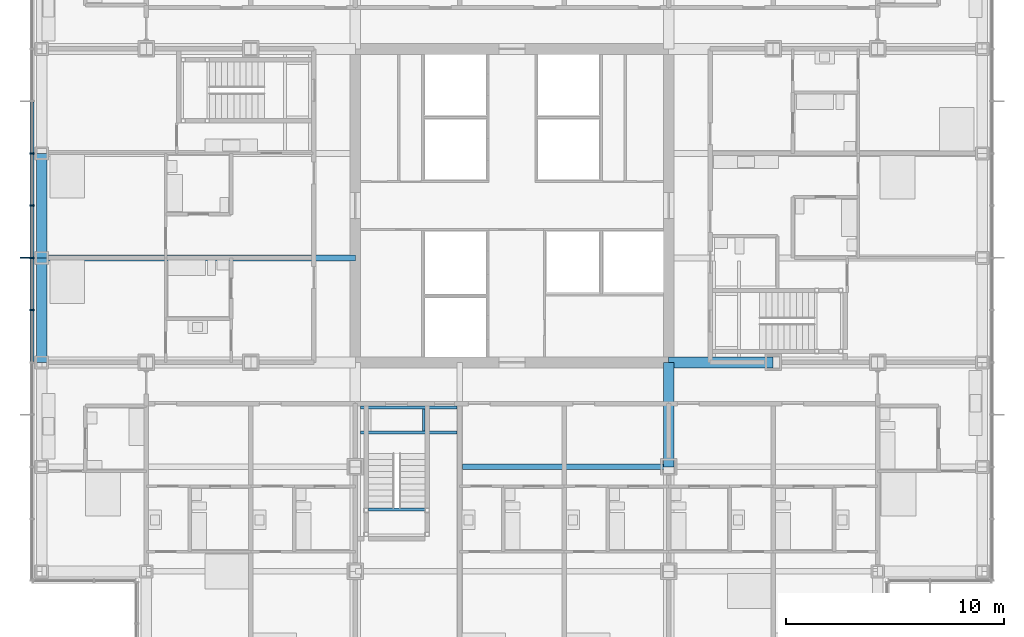
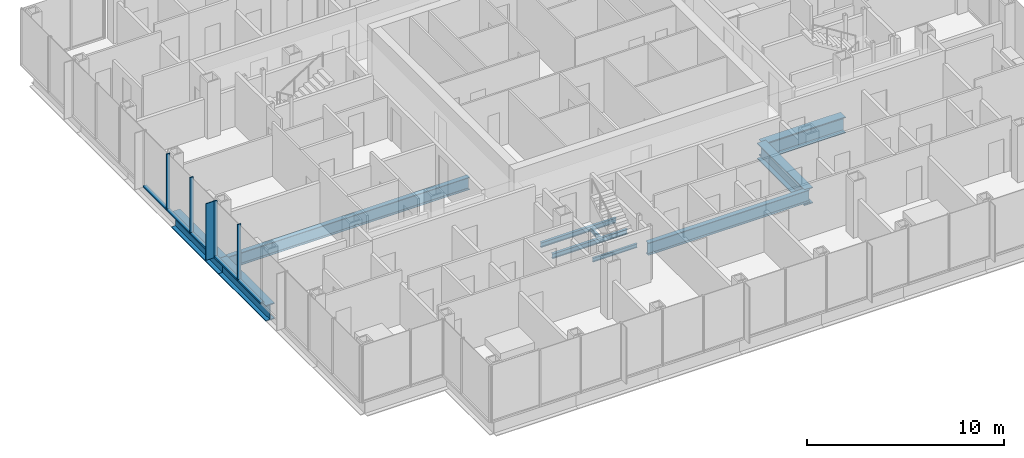
# One storey, part 7 of 22: 10 beams, 10 members, 1 element without a shape of its own.
"""IFC4 building model written with IfcOpenShell, lengths in metres."""

from ifc_helpers import new_model, si_unit, direction, frame, origin, origin_2d, place, context, subcontext, project, spatial, rectangle, i_section, extrude, material, material_profile, profile_set, type_object, element, aggregate, save


model = new_model("IFC4")

# Units and contexts
model_context = context("Model", 3, precision=1e-05, world=origin(), true_north=direction((0.0, 1.0)))
body_context = subcontext(model_context, "Body", "Model", "MODEL_VIEW")
ifc_project = project(units=[si_unit("LENGTHUNIT", "METRE"), si_unit("AREAUNIT", "SQUARE_METRE"), si_unit("VOLUMEUNIT", "CUBIC_METRE"), si_unit("PLANEANGLEUNIT", "RADIAN"), si_unit("MASSUNIT", "GRAM", prefix="KILO")], contexts=[model_context])

# Site, building, storey
site_placement = place(None, origin())
site = spatial("IfcSite", under=ifc_project, at=site_placement, CompositionType="ELEMENT")
building_placement = place(site_placement, origin())
building = spatial("IfcBuilding", under=site, at=building_placement, Name="Kvirike Care Tower", CompositionType="ELEMENT")
storey_placement = place(building_placement, frame((0.0, 0.0, 72.5)))
storey = spatial("IfcBuildingStorey", under=building, at=storey_placement, Name="L19", CompositionType="ELEMENT", Elevation=72.5)

# Curtain wall, members
ifc_material_1 = material(Name="Anodised aluminium stick system", Category="aluminium")
curtain_wall_type = type_object("IfcCurtainWallType", Name="CW-A STICK CURTAIN WALL", PredefinedType="NOTDEFINED", material=ifc_material_1)
curtain_wall_placement = place(storey_placement, origin())
curtain_wall = element("IfcCurtainWall", 1, at=curtain_wall_placement, inside=storey, type_object=curtain_wall_type, Name="Curtain wall L19 face 1", PredefinedType="NOTDEFINED")
ifc_material_2 = material(Name="Bronze anodised aluminium fin", Category="aluminium")
ifc_material_profile_1 = material_profile(ifc_material_2, rectangle(XDim=0.050048828125, YDim=0.449951171875, at=origin_2d()), Name="BRONZE FIN 450")
ifc_profile_set_1 = profile_set([ifc_material_profile_1], Name="Bronze anodised aluminium fin")
member_type_1 = type_object("IfcMemberType", Name="BRONZE FIN 450", PredefinedType="USERDEFINED", material=ifc_profile_set_1)
member_1_placement = place(storey_placement, frame((-0.77490234375, 33.60009765625, 0.0), z_axis=(0.0, 0.0, 1.0), x_axis=(0.0, -1.0, 0.0)))
member_1 = element("IfcMember", 2, at=member_1_placement, type_object=member_type_1, Name="Bronze fin L19 face 1.9", ObjectType="FIN", PredefinedType="USERDEFINED", context=body_context, shape_type="SweptSolid", body=[
    extrude(rectangle(XDim=0.050048828125, YDim=0.449951171875, at=origin_2d()), origin(), (0.0, 0.0, 1.0), 3.5),
])
ifc_material_3 = material(Name="Bronze anodised aluminium mullion", Category="aluminium")
ifc_material_profile_2 = material_profile(ifc_material_3, rectangle(XDim=0.06494140625, YDim=0.199951171875, at=origin_2d()), Name="CW-A MULLION 65x200")
ifc_profile_set_2 = profile_set([ifc_material_profile_2], Name="Bronze anodised aluminium mullion")
member_type_2 = type_object("IfcMemberType", Name="CW-A MULLION 65x200", PredefinedType="MULLION", material=ifc_profile_set_2)
member_2_placement = place(storey_placement, frame((-0.449951171875, 38.39990234375, 0.0), z_axis=(0.0, 0.0, 1.0), x_axis=(0.0, -1.0, 0.0)))
member_2 = element("IfcMember", 3, at=member_2_placement, type_object=member_type_2, Name="CW-A mullion L19 face 1.7", PredefinedType="MULLION", context=body_context, shape_type="SweptSolid", body=[
    extrude(rectangle(XDim=0.06494140625, YDim=0.199951171875, at=origin_2d()), origin(), (0.0, 0.0, 1.0), 3.5),
])
member_3_placement = place(storey_placement, frame((-0.449951171875, 36.0, 0.0), z_axis=(0.0, 0.0, 1.0), x_axis=(0.0, -1.0, 0.0)))
member_3 = element("IfcMember", 4, at=member_3_placement, type_object=member_type_2, Name="CW-A mullion L19 face 1.8", PredefinedType="MULLION", context=body_context, shape_type="SweptSolid", body=[
    extrude(rectangle(XDim=0.06494140625, YDim=0.199951171875, at=origin_2d()), origin(), (0.0, 0.0, 1.0), 3.5),
])
member_4_placement = place(storey_placement, frame((-0.449951171875, 33.60009765625, 0.0), z_axis=(0.0, 0.0, 1.0), x_axis=(0.0, -1.0, 0.0)))
member_4 = element("IfcMember", 5, at=member_4_placement, type_object=member_type_2, Name="CW-A mullion L19 face 1.9", PredefinedType="MULLION", context=body_context, shape_type="SweptSolid", body=[
    extrude(rectangle(XDim=0.06494140625, YDim=0.199951171875, at=origin_2d()), origin(), (0.0, 0.0, 1.0), 3.5),
])
member_5_placement = place(storey_placement, frame((-0.449951171875, 31.199951171875, 0.0), z_axis=(0.0, 0.0, 1.0), x_axis=(0.0, -1.0, 0.0)))
member_5 = element("IfcMember", 6, at=member_5_placement, type_object=member_type_2, Name="CW-A mullion L19 face 1.10", PredefinedType="MULLION", context=body_context, shape_type="SweptSolid", body=[
    extrude(rectangle(XDim=0.06494140625, YDim=0.199951171875, at=origin_2d()), origin(), (0.0, 0.0, 1.0), 3.5),
])
ifc_material_4 = material(Name="Bronze anodised aluminium transom", Category="aluminium")
ifc_material_profile_3 = material_profile(ifc_material_4, rectangle(XDim=0.199951171875, YDim=0.10009765625, at=origin_2d()), Name="CW-A TRANSOM 200x100")
ifc_profile_set_3 = profile_set([ifc_material_profile_3], Name="Bronze anodised aluminium transom")
member_type_3 = type_object("IfcMemberType", Name="CW-A TRANSOM 200x100", PredefinedType="USERDEFINED", material=ifc_profile_set_3)
member_6_placement = place(storey_placement, frame((-0.449951171875, 40.767578125, 0.050048828125), z_axis=(0.0, -1.0, 0.0), x_axis=(1.0, 0.0, 0.0)))
member_6 = element("IfcMember", 7, at=member_6_placement, type_object=member_type_3, Name="CW-A sill transom L19 face 1.6", ObjectType="TRANSOM", PredefinedType="USERDEFINED", context=body_context, shape_type="SweptSolid", body=[
    extrude(rectangle(XDim=0.199951171875, YDim=0.10009765625, at=origin_2d()), origin(), (0.0, 0.0, 1.0), 2.3349609375),
])
member_7_placement = place(storey_placement, frame((-0.449951171875, 38.367431640625, 0.050048828125), z_axis=(0.0, -1.0, 0.0), x_axis=(1.0, 0.0, 0.0)))
member_7 = element("IfcMember", 8, at=member_7_placement, type_object=member_type_3, Name="CW-A sill transom L19 face 1.7", ObjectType="TRANSOM", PredefinedType="USERDEFINED", context=body_context, shape_type="SweptSolid", body=[
    extrude(rectangle(XDim=0.199951171875, YDim=0.10009765625, at=origin_2d()), origin(), (0.0, 0.0, 1.0), 2.3349609375),
])
member_8_placement = place(storey_placement, frame((-0.449951171875, 35.967529296875, 0.050048828125), z_axis=(0.0, -1.0, 0.0), x_axis=(1.0, 0.0, 0.0)))
member_8 = element("IfcMember", 9, at=member_8_placement, type_object=member_type_3, Name="CW-A sill transom L19 face 1.8", ObjectType="TRANSOM", PredefinedType="USERDEFINED", context=body_context, shape_type="SweptSolid", body=[
    extrude(rectangle(XDim=0.199951171875, YDim=0.10009765625, at=origin_2d()), origin(), (0.0, 0.0, 1.0), 2.3349609375),
])
member_9_placement = place(storey_placement, frame((-0.449951171875, 33.5673828125, 0.050048828125), z_axis=(0.0, -1.0, 0.0), x_axis=(1.0, 0.0, 0.0)))
member_9 = element("IfcMember", 10, at=member_9_placement, type_object=member_type_3, Name="CW-A sill transom L19 face 1.9", ObjectType="TRANSOM", PredefinedType="USERDEFINED", context=body_context, shape_type="SweptSolid", body=[
    extrude(rectangle(XDim=0.199951171875, YDim=0.10009765625, at=origin_2d()), origin(), (0.0, 0.0, 1.0), 2.3349609375),
])
member_10_placement = place(storey_placement, frame((-0.449951171875, 31.16748046875, 0.050048828125), z_axis=(0.0, -1.0, 0.0), x_axis=(1.0, 0.0, 0.0)))
member_10 = element("IfcMember", 11, at=member_10_placement, type_object=member_type_3, Name="CW-A sill transom L19 face 1.10", ObjectType="TRANSOM", PredefinedType="USERDEFINED", context=body_context, shape_type="SweptSolid", body=[
    extrude(rectangle(XDim=0.199951171875, YDim=0.10009765625, at=origin_2d()), origin(), (0.0, 0.0, 1.0), 2.3349609375),
])
aggregate(curtain_wall, [member_2, member_3, member_4, member_1, member_5, member_6, member_7, member_8, member_9, member_10])

# Beams
ifc_material_5 = material(Name="Steel S355", Category="steel")
ifc_material_profile_4 = material_profile(ifc_material_5, i_section(OverallWidth=0.26806640625, OverallDepth=0.77001953125, WebThickness=0.015625, FlangeThickness=0.025390625, FilletRadius=0.01708984375, at=origin_2d()), Name="IPE 750x196")
ifc_profile_set_4 = profile_set([ifc_material_profile_4], Name="Steel S355")
beam_type_1 = type_object("IfcBeamType", Name="FLOOR BEAM IPE 750x196", PredefinedType="BEAM", material=ifc_profile_set_4)
beam_1_placement = place(storey_placement, frame((19.333984375, 24.0, -0.554931640625), z_axis=(1.0, 0.0, 0.0), x_axis=(0.0, 1.0, 0.0)))
element("IfcBeam", 12, at=beam_1_placement, inside=storey, type_object=beam_type_1, Name="Floor Beam F7-F9 L19", PredefinedType="BEAM", context=body_context, shape_type="SweptSolid", body=[
    extrude(i_section(OverallWidth=0.26806640625, OverallDepth=0.77001953125, WebThickness=0.015625, FlangeThickness=0.025390625, FilletRadius=0.01708984375, at=origin_2d()), origin(), (0.0, 0.0, 1.0), 9.466064453125),
])
beam_2_placement = place(storey_placement, frame((0.0, 33.60009765625, -0.554931640625), z_axis=(1.0, 0.0, 0.0), x_axis=(0.0, 1.0, 0.0)))
element("IfcBeam", 13, at=beam_2_placement, inside=storey, type_object=beam_type_1, Name="Floor Beam H3-H6 L19", PredefinedType="BEAM", context=body_context, shape_type="SweptSolid", body=[
    extrude(i_section(OverallWidth=0.26806640625, OverallDepth=0.77001953125, WebThickness=0.015625, FlangeThickness=0.025390625, FilletRadius=0.01708984375, at=origin_2d()), origin(), (0.0, 0.0, 1.0), 14.39990234375),
])
ifc_material_6 = material(Name="Steel S355", Category="steel")
ifc_material_profile_5 = material_profile(ifc_material_6, i_section(OverallWidth=0.5, OverallDepth=1.0, WebThickness=0.030029296875, FlangeThickness=0.06005859375, at=origin_2d()), Name="PG 1000x500x30x60")
ifc_profile_set_5 = profile_set([ifc_material_profile_5], Name="Steel S355")
beam_type_2 = type_object("IfcBeamType", Name="FRAME BEAM PG 1000x500x30x60", PredefinedType="BEAM", material=ifc_profile_set_5)
for number, where, z_axis, x_axis, name in (
    (14, (28.800048828125, 28.800048828125, -0.669921875), (1.0, 0.0, 0.0), (0.0, 1.0, 0.0), "Frame Beam G9-G10 L19"),
    (15, (28.800048828125, 24.0, -0.669921875), (0.0, 1.0, 0.0), (-1.0, 0.0, 0.0), "Frame Beam F9-G9 L19"),
):
    element("IfcBeam", number, at=place(storey_placement, frame(where, z_axis=z_axis, x_axis=x_axis)), inside=storey, type_object=beam_type_2, Name=name, PredefinedType="BEAM", context=body_context, shape_type="SweptSolid", body=[
        extrude(i_section(OverallWidth=0.5, OverallDepth=1.0, WebThickness=0.030029296875, FlangeThickness=0.06005859375, at=origin_2d()), origin(), (0.0, 0.0, 1.0), 4.800048828125),
    ])
ifc_material_7 = material(Name="Steel S355", Category="steel")
ifc_material_profile_6 = material_profile(ifc_material_7, i_section(OverallWidth=0.5, OverallDepth=1.0, WebThickness=0.030029296875, FlangeThickness=0.06005859375, at=origin_2d()), Name="PG 1000x500x30x60")
ifc_profile_set_6 = profile_set([ifc_material_profile_6], Name="Steel S355")
beam_type_3 = type_object("IfcBeamType", Name="SPANDREL PG 1000x500x30x60", PredefinedType="SPANDREL", material=ifc_profile_set_6)
beam_3_placement = place(storey_placement, frame((0.0, 28.800048828125, -0.669921875), z_axis=(0.0, 1.0, 0.0), x_axis=(-1.0, 0.0, 0.0)))
element("IfcBeam", 16, at=beam_3_placement, inside=storey, type_object=beam_type_3, Name="Spandrel G3-H3 L19", PredefinedType="SPANDREL", context=body_context, shape_type="SweptSolid", body=[
    extrude(i_section(OverallWidth=0.5, OverallDepth=1.0, WebThickness=0.030029296875, FlangeThickness=0.06005859375, at=origin_2d()), origin(), (0.0, 0.0, 1.0), 4.800048828125),
])
beam_4_placement = place(storey_placement, frame((0.0, 33.60009765625, -0.669921875), z_axis=(0.0, 1.0, 0.0), x_axis=(-1.0, 0.0, 0.0)))
element("IfcBeam", 17, at=beam_4_placement, inside=storey, type_object=beam_type_3, Name="Spandrel H3-J3 L19", PredefinedType="SPANDREL", context=body_context, shape_type="SweptSolid", body=[
    extrude(i_section(OverallWidth=0.5, OverallDepth=1.0, WebThickness=0.030029296875, FlangeThickness=0.06005859375, at=origin_2d()), origin(), (0.0, 0.0, 1.0), 4.7998046875),
])
ifc_material_8 = material(Name="Steel S355", Category="steel")
ifc_material_profile_7 = material_profile(ifc_material_8, i_section(OverallWidth=0.1201171875, OverallDepth=0.239990234375, WebThickness=0.006103515625, FlangeThickness=0.009765625, FilletRadius=0.014892578125, at=origin_2d()), Name="IPE 240")
ifc_profile_set_7 = profile_set([ifc_material_profile_7], Name="Steel S355")
beam_type_4 = type_object("IfcBeamType", Name="STAIR LANDING BEAM IPE 240", PredefinedType="BEAM", material=ifc_profile_set_7)
beam_5_placement = place(storey_placement, frame((15.0, 22.0400390625, 1.429931640625), z_axis=(1.0, 0.0, 0.0), x_axis=(0.0, 1.0, 0.0)))
element("IfcBeam", 18, at=beam_5_placement, inside=storey, type_object=beam_type_4, Name="Stair 5 landing beam front L19", PredefinedType="BEAM", context=body_context, shape_type="SweptSolid", body=[
    extrude(i_section(OverallWidth=0.1201171875, OverallDepth=0.239990234375, WebThickness=0.006103515625, FlangeThickness=0.009765625, FilletRadius=0.014892578125, at=origin_2d()), origin(), (0.0, 0.0, 1.0), 2.60009765625),
])
beam_6_placement = place(storey_placement, frame((17.5400390625, 25.64990234375, -0.320068359375), z_axis=(0.0, 1.0, 0.0), x_axis=(-1.0, 0.0, 0.0)))
element("IfcBeam", 19, at=beam_6_placement, inside=storey, type_object=beam_type_4, Name="Stair 5 landing edge beam 2 L19", PredefinedType="BEAM", context=body_context, shape_type="SweptSolid", body=[
    extrude(i_section(OverallWidth=0.1201171875, OverallDepth=0.239990234375, WebThickness=0.006103515625, FlangeThickness=0.009765625, FilletRadius=0.014892578125, at=origin_2d()), origin(), (0.0, 0.0, 1.0), 1.0),
])
ifc_material_9 = material(Name="Steel S355", Category="steel")
ifc_material_profile_8 = material_profile(ifc_material_9, i_section(OverallWidth=0.14990234375, OverallDepth=0.300048828125, WebThickness=0.007080078125, FlangeThickness=0.0107421875, FilletRadius=0.014892578125, at=origin_2d()), Name="IPE 300")
ifc_profile_set_8 = profile_set([ifc_material_profile_8], Name="Steel S355")
beam_type_5 = type_object("IfcBeamType", Name="STAIR TRIMMER IPE 300", PredefinedType="BEAM", material=ifc_profile_set_8)
for number, where, z_axis, x_axis, name in (
    (20, (14.64990234375, 25.574951171875, -0.35009765625), (1.0, 0.0, 0.0), (0.0, 1.0, 0.0), "Stair 5 trimmer 1 L19"),
    (21, (14.64990234375, 26.72509765625, -0.35009765625), (1.0, 0.0, 0.0), (0.0, 1.0, 0.0), "Stair 5 trimmer 2 L19"),
):
    element("IfcBeam", number, at=place(storey_placement, frame(where, z_axis=z_axis, x_axis=x_axis)), inside=storey, type_object=beam_type_5, Name=name, PredefinedType="BEAM", context=body_context, shape_type="SweptSolid", body=[
        extrude(i_section(OverallWidth=0.14990234375, OverallDepth=0.300048828125, WebThickness=0.007080078125, FlangeThickness=0.0107421875, FilletRadius=0.014892578125, at=origin_2d()), origin(), (0.0, 0.0, 1.0), 4.416015625),
    ])

save(model, "model.ifc")
